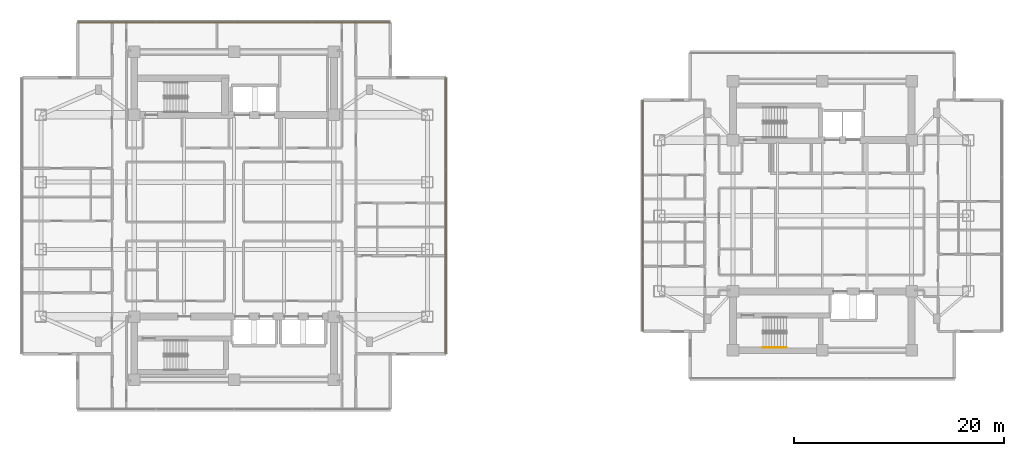
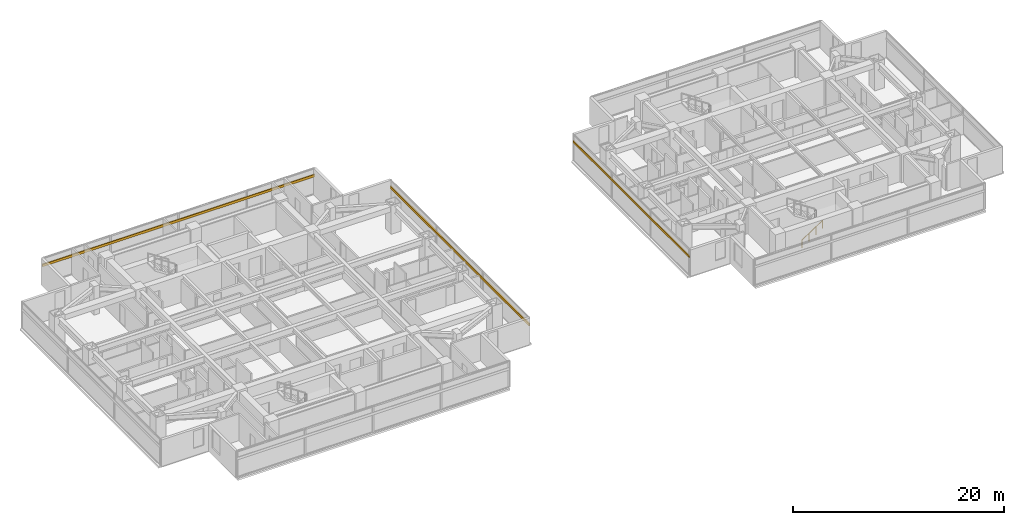
# One storey, part 23 of 26: 3 shading devices, 1 railing.
"""IFC4 building model written with IfcOpenShell, lengths in metres."""

from ifc_helpers import new_model, si_unit, direction, frame, origin, origin_2d, place, context, subcontext, project, spatial, rectangle, circle, extrude, material, material_profile, profile_set, type_object, element, save


model = new_model("IFC4")

# Units and contexts
model_context = context("Model", 3, precision=1e-05, world=origin(), true_north=direction((0.0, 1.0)))
body_context = subcontext(model_context, "Body", "Model", "MODEL_VIEW")
ifc_project = project(units=[si_unit("LENGTHUNIT", "METRE"), si_unit("AREAUNIT", "SQUARE_METRE"), si_unit("VOLUMEUNIT", "CUBIC_METRE"), si_unit("PLANEANGLEUNIT", "RADIAN"), si_unit("MASSUNIT", "GRAM", prefix="KILO")], contexts=[model_context])

# Site, building, storey
site_placement = place(None, origin())
site = spatial("IfcSite", under=ifc_project, at=site_placement, CompositionType="ELEMENT")
building_placement = place(site_placement, origin())
building = spatial("IfcBuilding", under=site, at=building_placement, Name="Mirazonda Arch Towers", CompositionType="ELEMENT")
storey_placement = place(building_placement, frame((0.0, 0.0, 121.39990234375)))
storey = spatial("IfcBuildingStorey", under=building, at=storey_placement, Name="L34", CompositionType="ELEMENT", Elevation=121.39990234375)

# Shading devices
ifc_material_1 = material(Name="Kiln-Fired Architectural Terracotta", Category="masonry")
ifc_material_profile_1 = material_profile(ifc_material_1, rectangle(XDim=0.1201171875, YDim=0.239990234375, at=origin_2d()), Name="TERRA-BAG-120x240")
ifc_profile_set_1 = profile_set([ifc_material_profile_1], Name="Kiln-Fired Architectural Terracotta")
shading_device_type_1 = type_object("IfcShadingDeviceType", Name="BAGUETTE-1", PredefinedType="USERDEFINED", material=ifc_profile_set_1)
shading_device_1_placement = place(storey_placement, frame((59.4169921875, 39.015869140625, 2.203369140625), z_axis=(0.0, -1.0, 0.0), x_axis=(1.0, 0.0, 0.0)))
element("IfcShadingDevice", 1, at=shading_device_1_placement, inside=storey, type_object=shading_device_type_1, Name="L34 Glazed Terracotta Sun-Screen Baguette CW-L34-T2-W", ObjectType="BAGUETTE", PredefinedType="USERDEFINED", context=body_context, shape_type="SweptSolid", body=[
    extrude(rectangle(XDim=0.1201171875, YDim=0.239990234375, at=origin_2d()), origin(), (0.0, 0.0, 1.0), 22.03173828125),
])
ifc_material_profile_2 = material_profile(ifc_material_1, rectangle(XDim=0.139892578125, YDim=0.280029296875, at=origin_2d()), Name="TERRA-BAG-140x280")
ifc_profile_set_2 = profile_set([ifc_material_profile_2], Name="Kiln-Fired Architectural Terracotta")
shading_device_type_2 = type_object("IfcShadingDeviceType", Name="BAGUETTE-3", PredefinedType="USERDEFINED", material=ifc_profile_set_2)
shading_device_2_placement = place(storey_placement, frame((40.659912109375, 14.85205078125, 2.203369140625), z_axis=(0.0, 1.0, 0.0), x_axis=(-1.0, 0.0, 0.0)))
element("IfcShadingDevice", 2, at=shading_device_2_placement, inside=storey, type_object=shading_device_type_2, Name="L34 Glazed Terracotta Sun-Screen Baguette CW-L34-T1-E", ObjectType="BAGUETTE", PredefinedType="USERDEFINED", context=body_context, shape_type="SweptSolid", body=[
    extrude(rectangle(XDim=0.139892578125, YDim=0.280029296875, at=origin_2d()), origin(), (0.0, 0.0, 1.0), 26.2958984375),
])
shading_device_3_placement = place(storey_placement, frame((5.610107421875, 46.41796875, 2.203369140625), z_axis=(1.0, 0.0, 0.0), x_axis=(0.0, 1.0, 0.0)))
element("IfcShadingDevice", 3, at=shading_device_3_placement, inside=storey, type_object=shading_device_type_2, Name="L34 Glazed Terracotta Sun-Screen Baguette CW-L34-T1-N", ObjectType="BAGUETTE", PredefinedType="USERDEFINED", context=body_context, shape_type="SweptSolid", body=[
    extrude(rectangle(XDim=0.139892578125, YDim=0.280029296875, at=origin_2d()), origin(), (0.0, 0.0, 1.0), 29.77978515625),
])

# Railing
ifc_material_2 = material(Name="Architectural Brushed Steel S355", Category="steel")
railing_type = type_object("IfcRailingType", Name="HANDRAIL-915", PredefinedType="HANDRAIL", material=ifc_material_2)
railing_placement = place(storey_placement, frame((70.85009765625, 15.469970703125, 0.183349609375)))
element("IfcRailing", 4, at=railing_placement, inside=storey, type_object=railing_type, Name="L34 ST-T2S stair handrail 1", PredefinedType="HANDRAIL", context=body_context, shape_type="SweptSolid", body=[
    extrude(circle(Radius=0.02392578125, at=origin_2d()), frame((0.0, 0.0, 0.8759765625), z_axis=(0.836595146698, 0.0, 0.547821650285), x_axis=(0.0, 1.0, 0.0)), (0.0, 0.0, 1.0), 2.677490234375),
    extrude(circle(Radius=0.02099609375, at=origin_2d()), origin(), (0.0, 0.0, 1.0), 0.851806640625),
    extrude(circle(Radius=0.02099609375, at=origin_2d()), frame((0.74658203125, 0.0, 0.489013671875)), (0.0, 0.0, 1.0), 0.851806640625),
    extrude(circle(Radius=0.02099609375, at=origin_2d()), frame((1.493408203125, 0.0, 0.977783203125)), (0.0, 0.0, 1.0), 0.851806640625),
    extrude(circle(Radius=0.02099609375, at=origin_2d()), frame((2.239990234375, 0.0, 1.466796875)), (0.0, 0.0, 1.0), 0.851806640625),
])

save(model, "model.ifc")
